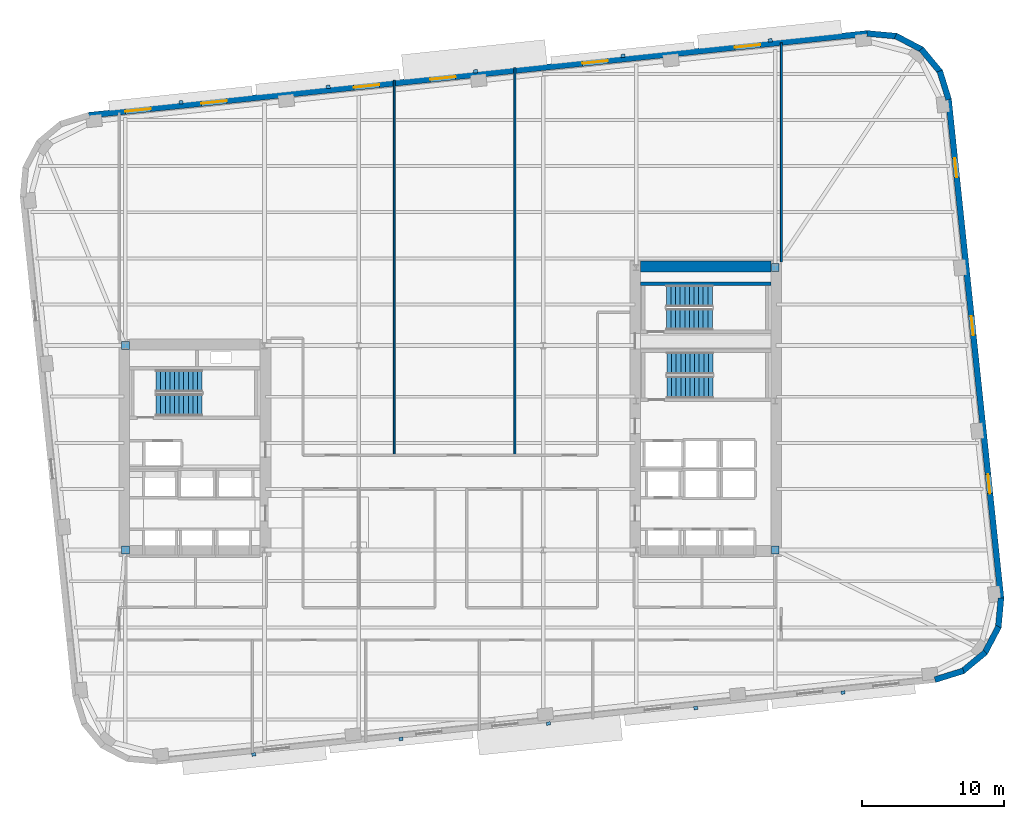
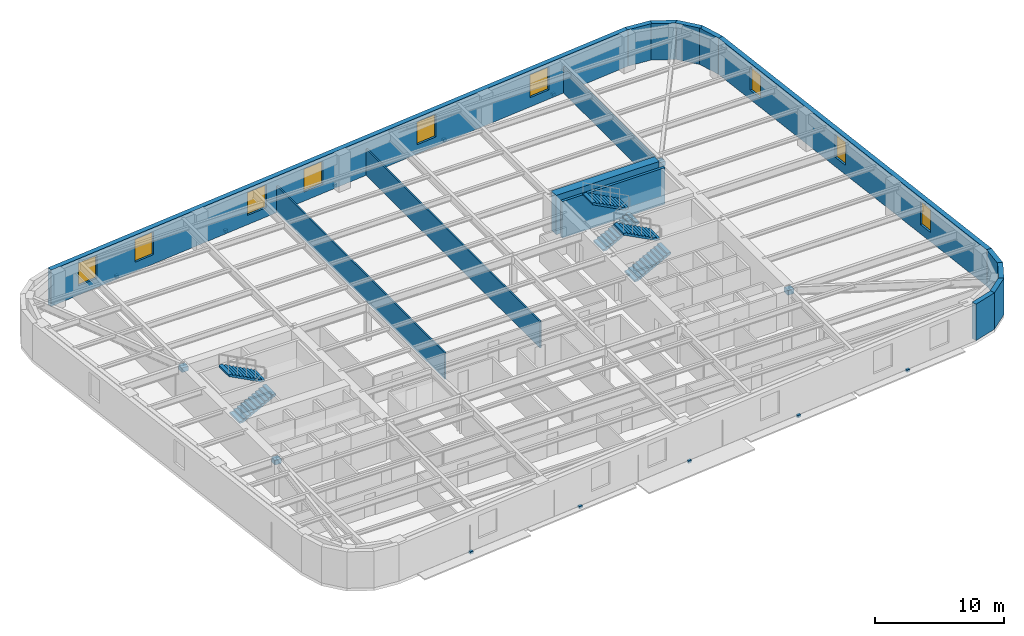
# One storey, part 7 of 11: 15 walls, 14 discrete accessories, 9 windows, 6 stair flights, 9 openings, 3 elements without a shape of their own.
"""IFC4 building model written with IfcOpenShell, lengths in metres."""

from ifc_helpers import new_model, si_unit, direction, frame, frame_2d, origin, origin_2d, place, context, subcontext, project, spatial, polyline, rectangle, outline, extrude, material, layer, layer_set, type_object, element, fill, aggregate, save


model = new_model("IFC4")

# Units and contexts
model_context = context("Model", 3, precision=1e-05, world=origin(), true_north=direction((0.0, 1.0)))
body_context = subcontext(model_context, "Body", "Model", "MODEL_VIEW")
ifc_project = project(units=[si_unit("LENGTHUNIT", "METRE"), si_unit("AREAUNIT", "SQUARE_METRE"), si_unit("VOLUMEUNIT", "CUBIC_METRE"), si_unit("PLANEANGLEUNIT", "RADIAN"), si_unit("MASSUNIT", "GRAM", prefix="KILO")], contexts=[model_context])

# Site, building, storey
site_placement = place(None, origin())
site = spatial("IfcSite", under=ifc_project, at=site_placement, CompositionType="ELEMENT")
building_placement = place(site_placement, origin())
building = spatial("IfcBuilding", under=site, at=building_placement, Name="Kolvaren Arena Tower", CompositionType="ELEMENT")
storey_placement = place(building_placement, frame((0.0, 0.0, 122.199951171875)))
storey = spatial("IfcBuildingStorey", under=building, at=storey_placement, Name="L28", CompositionType="ELEMENT", Elevation=122.199951171875)

# Walls
ifc_material_1 = material(Name="Concrete 70 MPa", Category="concrete")
ifc_layer_1 = layer(ifc_material_1, 0.75)
ifc_layer_set_1 = layer_set([ifc_layer_1], Name="Concrete 70 MPa")
wall_type_1 = type_object("IfcWallType", Name="CWALL-750", PredefinedType="SHEAR", material=ifc_layer_set_1)
wall_1_placement = place(storey_placement, frame((50.85009765625, 39.425048828125, -0.27001953125), z_axis=(0.0, 0.0, 1.0), x_axis=(1.0, 0.0, 0.0)))
element("IfcWall", 1, at=wall_1_placement, inside=storey, type_object=wall_type_1, Name="Core Shear Wall EC-NORTH (L28)", PredefinedType="SHEAR", context=body_context, shape_type="SweptSolid", body=[
    extrude(rectangle(XDim=9.199951171875, YDim=0.75, at=frame_2d((4.60009765625, 0.0))), origin(), (0.0, 0.0, 1.0), 3.7099609375),
])
ifc_material_2 = material(Name="Precast concrete C50/60", Category="concrete")
ifc_layer_2 = layer(ifc_material_2, 0.419921875)
ifc_layer_set_2 = layer_set([ifc_layer_2], Name="Precast concrete C50/60")
wall_type_2 = type_object("IfcWallType", Name="EXT-PIER1", PredefinedType="SOLIDWALL", material=ifc_layer_set_2)
for number, where, z_axis, x_axis, name in (
    (2, (73.61328125, 10.93701171875, 0.0), (0.0, 0.0, 1.0), (-0.954993985335, -0.296625164093, 0.0), "Exterior Precast Masonry-Frame Wall (L28)"),
    (3, (75.1611328125, 12.2451171875, 0.0), (0.0, 0.0, 1.0), (-0.768800317178, -0.639488914921, 0.0), "Exterior Precast Masonry-Frame Wall (L28)"),
):
    element("IfcWall", number, at=place(storey_placement, frame(where, z_axis=z_axis, x_axis=x_axis)), inside=storey, type_object=wall_type_2, Name=name, PredefinedType="SOLIDWALL", context=body_context, shape_type="SweptSolid", body=[
        extrude(rectangle(XDim=2.10693359375, YDim=0.419921875, at=frame_2d((1.053466796875, 0.0))), origin(), (0.0, 0.0, 1.0), 3.43994140625),
    ])
wall_2_placement = place(storey_placement, frame((76.0908203125, 14.046142578125, 0.0), z_axis=(0.0, 0.0, 1.0), x_axis=(-0.465655699908, -0.884965970613, 0.0)))
element("IfcWall", 4, at=wall_2_placement, inside=storey, type_object=wall_type_2, Name="Exterior Precast Masonry-Frame Wall (L28)", PredefinedType="SOLIDWALL", context=body_context, shape_type="SweptSolid", body=[
    extrude(rectangle(XDim=2.107177734375, YDim=0.419921875, at=frame_2d((1.0537109375, 0.0))), origin(), (0.0, 0.0, 1.0), 3.43994140625),
])
wall_3_placement = place(storey_placement, frame((76.26025390625, 16.065673828125, 0.0), z_axis=(0.0, 0.0, 1.0), x_axis=(-0.091538655308, -0.995801523691, 0.0)))
element("IfcWall", 5, at=wall_3_placement, inside=storey, type_object=wall_type_2, Name="Exterior Precast Masonry-Frame Wall (L28)", PredefinedType="SOLIDWALL", context=body_context, shape_type="SweptSolid", body=[
    extrude(rectangle(XDim=2.10693359375, YDim=0.419921875, at=frame_2d((1.053466796875, 0.0))), origin(), (0.0, 0.0, 1.0), 3.43994140625),
])

# Wall, openings, windows
wall_4_placement = place(storey_placement, frame((72.560302734375, 51.23046875, 0.0), z_axis=(0.0, 0.0, 1.0), x_axis=(0.1045253859, -0.994522218808, 0.0)))
wall_4 = element("IfcWall", 6, at=wall_4_placement, inside=storey, type_object=wall_type_2, Name="Exterior Precast Masonry-Frame Wall (L28)", PredefinedType="SOLIDWALL", context=body_context, shape_type="SweptSolid", body=[
    extrude(rectangle(XDim=35.39990234375, YDim=0.419921875, at=frame_2d((17.699951171875, 0.0))), origin(), (0.0, 0.0, 1.0), 3.43994140625),
])
opening_1_placement = place(wall_4_placement, frame((4.199951171875, 0.0, 0.8798828125)))
opening_1 = element("IfcOpeningElement", 7, at=opening_1_placement, cuts=wall_4, Name="Opening W04", PredefinedType="OPENING", context=body_context, shape_type="SweptSolid", body=[
    extrude(rectangle(XDim=1.35009765625, YDim=2.199951171875, at=frame_2d((0.675048828125, 1.10009765625))), frame((0.0, 0.219970703125, 0.0), z_axis=(0.0, -1.0, 0.0), x_axis=(1.0, 0.0, 0.0)), (0.0, 0.0, 1.0), 0.43994140625),
])
opening_2_placement = place(wall_4_placement, frame((15.39990234375, 0.0, 0.8798828125)))
opening_2 = element("IfcOpeningElement", 8, at=opening_2_placement, cuts=wall_4, Name="Opening W04", PredefinedType="OPENING", context=body_context, shape_type="SweptSolid", body=[
    extrude(rectangle(XDim=1.35009765625, YDim=2.199951171875, at=frame_2d((0.675048828125, 1.10009765625))), frame((0.0, 0.219970703125, 0.0), z_axis=(0.0, -1.0, 0.0), x_axis=(1.0, 0.0, 0.0)), (0.0, 0.0, 1.0), 0.43994140625),
])
opening_3_placement = place(wall_4_placement, frame((26.60009765625, 0.0, 0.8798828125)))
opening_3 = element("IfcOpeningElement", 9, at=opening_3_placement, cuts=wall_4, Name="Opening W04", PredefinedType="OPENING", context=body_context, shape_type="SweptSolid", body=[
    extrude(rectangle(XDim=1.35009765625, YDim=2.199951171875, at=frame_2d((0.675048828125, 1.10009765625))), frame((0.0, 0.219970703125, 0.0), z_axis=(0.0, -1.0, 0.0), x_axis=(1.0, 0.0, 0.0)), (0.0, 0.0, 1.0), 0.43994140625),
])
ifc_material_3 = material(Name="Triple-glazed curved-facet corner window", Category="glass")
window_type_1 = type_object("IfcWindowType", Name="WIN-CRN-A", PartitioningType="SINGLE_PANEL", PredefinedType="WINDOW", material=ifc_material_3)
window_1_placement = place(opening_1_placement, origin())
window_1 = element("IfcWindow", 10, at=window_1_placement, inside=storey, type_object=window_type_1, Name="End-Wall Punched Window (L28)", OverallHeight=2.199951171875, OverallWidth=1.35009765625, PartitioningType="SINGLE_PANEL", PredefinedType="WINDOW", context=body_context, shape_type="SweptSolid", body=[
    extrude(rectangle(XDim=1.35009765625, YDim=2.199951171875, at=frame_2d((0.675048828125, 1.10009765625))), frame((0.0, 0.030029296875, 0.0), z_axis=(0.0, -1.0, 0.0), x_axis=(1.0, 0.0, 0.0)), (0.0, 0.0, 1.0), 0.06005859375),
])
fill(opening_1, window_1)
window_2_placement = place(opening_2_placement, origin())
window_2 = element("IfcWindow", 11, at=window_2_placement, inside=storey, type_object=window_type_1, Name="End-Wall Punched Window (L28)", OverallHeight=2.199951171875, OverallWidth=1.35009765625, PartitioningType="SINGLE_PANEL", PredefinedType="WINDOW", context=body_context, shape_type="SweptSolid", body=[
    extrude(rectangle(XDim=1.35009765625, YDim=2.199951171875, at=frame_2d((0.675048828125, 1.10009765625))), frame((0.0, 0.030029296875, 0.0), z_axis=(0.0, -1.0, 0.0), x_axis=(1.0, 0.0, 0.0)), (0.0, 0.0, 1.0), 0.06005859375),
])
fill(opening_2, window_2)
window_3_placement = place(opening_3_placement, origin())
window_3 = element("IfcWindow", 12, at=window_3_placement, inside=storey, type_object=window_type_1, Name="End-Wall Punched Window (L28)", OverallHeight=2.199951171875, OverallWidth=1.35009765625, PartitioningType="SINGLE_PANEL", PredefinedType="WINDOW", context=body_context, shape_type="SweptSolid", body=[
    extrude(rectangle(XDim=1.35009765625, YDim=2.199951171875, at=frame_2d((0.675048828125, 1.10009765625))), frame((0.0, 0.030029296875, 0.0), z_axis=(0.0, -1.0, 0.0), x_axis=(1.0, 0.0, 0.0)), (0.0, 0.0, 1.0), 0.06005859375),
])
fill(opening_3, window_3)

# Walls
for number, where, z_axis, x_axis, name in (
    (13, (71.943603515625, 53.202392578125, 0.0), (0.0, 0.0, 1.0), (0.296625164093, -0.954993985335, 0.0), "Exterior Precast Masonry-Frame Wall (L28)"),
    (14, (70.635498046875, 54.750244140625, 0.0), (0.0, 0.0, 1.0), (0.639488914921, -0.768800317178, 0.0), "Exterior Precast Masonry-Frame Wall (L28)"),
    (15, (68.83447265625, 55.6796875, 0.0), (0.0, 0.0, 1.0), (0.885013714693, -0.465564952296, 0.0), "Exterior Precast Masonry-Frame Wall (L28)"),
    (16, (66.81494140625, 55.849365234375, 0.0), (0.0, 0.0, 1.0), (0.995801523691, -0.091538655308, 0.0), "Exterior Precast Masonry-Frame Wall (L28)"),
):
    element("IfcWall", number, at=place(storey_placement, frame(where, z_axis=z_axis, x_axis=x_axis)), inside=storey, type_object=wall_type_2, Name=name, PredefinedType="SOLIDWALL", context=body_context, shape_type="SweptSolid", body=[
        extrude(rectangle(XDim=2.10693359375, YDim=0.419921875, at=frame_2d((1.053466796875, 0.0))), origin(), (0.0, 0.0, 1.0), 3.43994140625),
    ])

# Wall, openings, windows
wall_5_placement = place(storey_placement, frame((11.95849609375, 50.07958984375, 0.0), z_axis=(0.0, 0.0, 1.0), x_axis=(0.994521823388, 0.104529148113, 0.0)))
wall_5 = element("IfcWall", 17, at=wall_5_placement, inside=storey, type_object=wall_type_2, Name="Exterior Precast Masonry-Frame Wall (L28)", PredefinedType="SOLIDWALL", context=body_context, shape_type="SweptSolid", body=[
    extrude(rectangle(XDim=55.2001953125, YDim=0.419921875, at=frame_2d((27.60009765625, 0.0))), origin(), (0.0, 0.0, 1.0), 3.43994140625),
])
opening_4_placement = place(wall_5_placement, frame((2.60009765625, 0.0, 0.8798828125)))
opening_4 = element("IfcOpeningElement", 18, at=opening_4_placement, cuts=wall_5, Name="Opening W02", PredefinedType="OPENING", context=body_context, shape_type="SweptSolid", body=[
    extrude(rectangle(XDim=1.800048828125, YDim=2.14990234375, at=frame_2d((0.89990234375, 1.074951171875))), frame((0.0, 0.219970703125, 0.0), z_axis=(0.0, -1.0, 0.0), x_axis=(1.0, 0.0, 0.0)), (0.0, 0.0, 1.0), 0.43994140625),
])
opening_5_placement = place(wall_5_placement, frame((8.0, 0.0, 0.8798828125)))
opening_5 = element("IfcOpeningElement", 19, at=opening_5_placement, cuts=wall_5, Name="Opening W02", PredefinedType="OPENING", context=body_context, shape_type="SweptSolid", body=[
    extrude(rectangle(XDim=1.800048828125, YDim=2.14990234375, at=frame_2d((0.89990234375, 1.074951171875))), frame((0.0, 0.219970703125, 0.0), z_axis=(0.0, -1.0, 0.0), x_axis=(1.0, 0.0, 0.0)), (0.0, 0.0, 1.0), 0.43994140625),
])
opening_6_placement = place(wall_5_placement, frame((18.800048828125, 0.0, 0.8798828125)))
opening_6 = element("IfcOpeningElement", 20, at=opening_6_placement, cuts=wall_5, Name="Opening W02", PredefinedType="OPENING", context=body_context, shape_type="SweptSolid", body=[
    extrude(rectangle(XDim=1.800048828125, YDim=2.14990234375, at=frame_2d((0.89990234375, 1.074951171875))), frame((0.0, 0.219970703125, 0.0), z_axis=(0.0, -1.0, 0.0), x_axis=(1.0, 0.0, 0.0)), (0.0, 0.0, 1.0), 0.43994140625),
])
opening_7_placement = place(wall_5_placement, frame((24.199951171875, 0.0, 0.8798828125)))
opening_7 = element("IfcOpeningElement", 21, at=opening_7_placement, cuts=wall_5, Name="Opening W02", PredefinedType="OPENING", context=body_context, shape_type="SweptSolid", body=[
    extrude(rectangle(XDim=1.800048828125, YDim=2.14990234375, at=frame_2d((0.89990234375, 1.074951171875))), frame((0.0, 0.219970703125, 0.0), z_axis=(0.0, -1.0, 0.0), x_axis=(1.0, 0.0, 0.0)), (0.0, 0.0, 1.0), 0.43994140625),
])
opening_8_placement = place(wall_5_placement, frame((35.0, 0.0, 0.8798828125)))
opening_8 = element("IfcOpeningElement", 22, at=opening_8_placement, cuts=wall_5, Name="Opening W02", PredefinedType="OPENING", context=body_context, shape_type="SweptSolid", body=[
    extrude(rectangle(XDim=1.800048828125, YDim=2.14990234375, at=frame_2d((0.89990234375, 1.074951171875))), frame((0.0, 0.219970703125, 0.0), z_axis=(0.0, -1.0, 0.0), x_axis=(1.0, 0.0, 0.0)), (0.0, 0.0, 1.0), 0.43994140625),
])
opening_9_placement = place(wall_5_placement, frame((45.800048828125, 0.0, 0.8798828125)))
opening_9 = element("IfcOpeningElement", 23, at=opening_9_placement, cuts=wall_5, Name="Opening W02", PredefinedType="OPENING", context=body_context, shape_type="SweptSolid", body=[
    extrude(rectangle(XDim=1.800048828125, YDim=2.14990234375, at=frame_2d((0.89990234375, 1.074951171875))), frame((0.0, 0.219970703125, 0.0), z_axis=(0.0, -1.0, 0.0), x_axis=(1.0, 0.0, 0.0)), (0.0, 0.0, 1.0), 0.43994140625),
])
ifc_material_4 = material(Name="Triple-glazed low-E aluminium window", Category="aluminium")
window_type_2 = type_object("IfcWindowType", Name="WIN-OFF-B", PartitioningType="DOUBLE_PANEL_VERTICAL", PredefinedType="WINDOW", material=ifc_material_4)
window_4_placement = place(opening_4_placement, origin())
window_4 = element("IfcWindow", 24, at=window_4_placement, inside=storey, type_object=window_type_2, Name="Punched Precast-Pier Window (L28)", OverallHeight=2.14990234375, OverallWidth=1.800048828125, PartitioningType="DOUBLE_PANEL_VERTICAL", PredefinedType="WINDOW", context=body_context, shape_type="SweptSolid", body=[
    extrude(rectangle(XDim=1.800048828125, YDim=2.14990234375, at=frame_2d((0.89990234375, 1.074951171875))), frame((0.0, 0.030029296875, 0.0), z_axis=(0.0, -1.0, 0.0), x_axis=(1.0, 0.0, 0.0)), (0.0, 0.0, 1.0), 0.06005859375),
])
fill(opening_4, window_4)
window_5_placement = place(opening_5_placement, origin())
window_5 = element("IfcWindow", 25, at=window_5_placement, inside=storey, type_object=window_type_2, Name="Punched Precast-Pier Window (L28)", OverallHeight=2.14990234375, OverallWidth=1.800048828125, PartitioningType="DOUBLE_PANEL_VERTICAL", PredefinedType="WINDOW", context=body_context, shape_type="SweptSolid", body=[
    extrude(rectangle(XDim=1.800048828125, YDim=2.14990234375, at=frame_2d((0.89990234375, 1.074951171875))), frame((0.0, 0.030029296875, 0.0), z_axis=(0.0, -1.0, 0.0), x_axis=(1.0, 0.0, 0.0)), (0.0, 0.0, 1.0), 0.06005859375),
])
fill(opening_5, window_5)
window_6_placement = place(opening_6_placement, origin())
window_6 = element("IfcWindow", 26, at=window_6_placement, inside=storey, type_object=window_type_2, Name="Punched Precast-Pier Window (L28)", OverallHeight=2.14990234375, OverallWidth=1.800048828125, PartitioningType="DOUBLE_PANEL_VERTICAL", PredefinedType="WINDOW", context=body_context, shape_type="SweptSolid", body=[
    extrude(rectangle(XDim=1.800048828125, YDim=2.14990234375, at=frame_2d((0.89990234375, 1.074951171875))), frame((0.0, 0.030029296875, 0.0), z_axis=(0.0, -1.0, 0.0), x_axis=(1.0, 0.0, 0.0)), (0.0, 0.0, 1.0), 0.06005859375),
])
fill(opening_6, window_6)
window_7_placement = place(opening_7_placement, origin())
window_7 = element("IfcWindow", 27, at=window_7_placement, inside=storey, type_object=window_type_2, Name="Punched Precast-Pier Window (L28)", OverallHeight=2.14990234375, OverallWidth=1.800048828125, PartitioningType="DOUBLE_PANEL_VERTICAL", PredefinedType="WINDOW", context=body_context, shape_type="SweptSolid", body=[
    extrude(rectangle(XDim=1.800048828125, YDim=2.14990234375, at=frame_2d((0.89990234375, 1.074951171875))), frame((0.0, 0.030029296875, 0.0), z_axis=(0.0, -1.0, 0.0), x_axis=(1.0, 0.0, 0.0)), (0.0, 0.0, 1.0), 0.06005859375),
])
fill(opening_7, window_7)
window_8_placement = place(opening_8_placement, origin())
window_8 = element("IfcWindow", 28, at=window_8_placement, inside=storey, type_object=window_type_2, Name="Punched Precast-Pier Window (L28)", OverallHeight=2.14990234375, OverallWidth=1.800048828125, PartitioningType="DOUBLE_PANEL_VERTICAL", PredefinedType="WINDOW", context=body_context, shape_type="SweptSolid", body=[
    extrude(rectangle(XDim=1.800048828125, YDim=2.14990234375, at=frame_2d((0.89990234375, 1.074951171875))), frame((0.0, 0.030029296875, 0.0), z_axis=(0.0, -1.0, 0.0), x_axis=(1.0, 0.0, 0.0)), (0.0, 0.0, 1.0), 0.06005859375),
])
fill(opening_8, window_8)
window_9_placement = place(opening_9_placement, origin())
window_9 = element("IfcWindow", 29, at=window_9_placement, inside=storey, type_object=window_type_2, Name="Punched Precast-Pier Window (L28)", OverallHeight=2.14990234375, OverallWidth=1.800048828125, PartitioningType="DOUBLE_PANEL_VERTICAL", PredefinedType="WINDOW", context=body_context, shape_type="SweptSolid", body=[
    extrude(rectangle(XDim=1.800048828125, YDim=2.14990234375, at=frame_2d((0.89990234375, 1.074951171875))), frame((0.0, 0.030029296875, 0.0), z_axis=(0.0, -1.0, 0.0), x_axis=(1.0, 0.0, 0.0)), (0.0, 0.0, 1.0), 0.06005859375),
])
fill(opening_9, window_9)

# Walls
ifc_material_5 = material(Name="Gypsum board partition assembly", Category="gypsum")
ifc_layer_3 = layer(ifc_material_5, 0.135009765625)
ifc_layer_set_3 = layer_set([ifc_layer_3], Name="Gypsum board partition assembly")
wall_type_3 = type_object("IfcWallType", Name="PART-135", PredefinedType="PARTITIONING", material=ifc_layer_set_3)
wall_6_placement = place(storey_placement, frame((33.5, 26.1201171875, 0.0), z_axis=(0.0, 0.0, 1.0), x_axis=(0.0, 1.0, 0.0)))
element("IfcWall", 30, at=wall_6_placement, inside=storey, type_object=wall_type_3, Name="Interior Partition Wall (L28)", PredefinedType="PARTITIONING", context=body_context, shape_type="SweptSolid", body=[
    extrude(rectangle(XDim=26.434814453125, YDim=0.135009765625, at=frame_2d((13.21728515625, 0.0))), origin(), (0.0, 0.0, 1.0), 2.5),
])
wall_7_placement = place(storey_placement, frame((42.0, 26.1201171875, 0.0), z_axis=(0.0, 0.0, 1.0), x_axis=(0.0, 1.0, 0.0)))
element("IfcWall", 31, at=wall_7_placement, inside=storey, type_object=wall_type_3, Name="Interior Partition Wall (L28)", PredefinedType="PARTITIONING", context=body_context, shape_type="SweptSolid", body=[
    extrude(rectangle(XDim=27.328125, YDim=0.135009765625, at=frame_2d((13.6640625, 0.0))), origin(), (0.0, 0.0, 1.0), 2.5),
])
wall_8_placement = place(storey_placement, frame((60.780029296875, 39.75, 0.0), z_axis=(0.0, 0.0, 1.0), x_axis=(0.0, 1.0, 0.0)))
element("IfcWall", 32, at=wall_8_placement, inside=storey, type_object=wall_type_3, Name="Interior Partition Wall (L28)", PredefinedType="PARTITIONING", context=body_context, shape_type="SweptSolid", body=[
    extrude(rectangle(XDim=15.430908203125, YDim=0.135009765625, at=frame_2d((7.71533203125, 0.0))), origin(), (0.0, 0.0, 1.0), 2.5),
])
ifc_material_6 = material(Name="Concrete 45 MPa", Category="concrete")
ifc_layer_4 = layer(ifc_material_6, 0.25)
ifc_layer_set_4 = layer_set([ifc_layer_4], Name="Concrete 45 MPa")
wall_type_4 = type_object("IfcWallType", Name="SHAFT-250", PredefinedType="SOLIDWALL", material=ifc_layer_set_4)
wall_9_placement = place(storey_placement, frame((50.85009765625, 38.219970703125, 0.0), z_axis=(0.0, 0.0, 1.0), x_axis=(1.0, 0.0, 0.0)))
element("IfcWall", 33, at=wall_9_placement, inside=storey, type_object=wall_type_4, Name="Core Shaft Wall (L28)", PredefinedType="SOLIDWALL", context=body_context, shape_type="SweptSolid", body=[
    extrude(rectangle(XDim=9.199951171875, YDim=0.239990234375, at=frame_2d((4.60009765625, 0.0))), origin(), (0.0, 0.0, 1.0), 3.43994140625),
])

# Stair, stair flights
stair_type_1 = type_object("IfcStairType", Name="STAIR-CORE-150", PredefinedType="HALF_TURN_STAIR", material=ifc_material_6)
stair_1_placement = place(storey_placement, origin())
stair_1 = element("IfcStair", 34, at=stair_1_placement, inside=storey, type_object=stair_type_1, Name="L28 ST-E2", PredefinedType="HALF_TURN_STAIR")
stair_flight_type_1 = type_object("IfcStairFlightType", Name="FLT-150", PredefinedType="STRAIGHT", material=ifc_material_6)
stair_flight_1_placement = place(storey_placement, frame((52.679931640625, 35.699951171875, 0.0), z_axis=(0.0, 0.0, 1.0), x_axis=(1.0, 0.0, 0.0)))
stair_flight_1 = element("IfcStairFlight", 35, at=stair_flight_1_placement, type_object=stair_flight_type_1, Name="ST-E2 flight 1", NumberOfRisers=11, NumberOfTreads=10, PredefinedType="STRAIGHT", RiserHeight=0.170454545, TreadLength=0.324, context=body_context, shape_type="SweptSolid", body=[
    extrude(outline(polyline([(0.0, 0.0), (0.0, 0.17041015625), (0.323974609375, 0.17041015625), (0.323974609375, 0.3408203125), (0.64794921875, 0.3408203125), (0.64794921875, 0.511474609375), (0.971923828125, 0.511474609375), (0.971923828125, 0.681884765625), (1.2958984375, 0.681884765625), (1.2958984375, 0.852294921875), (1.6201171875, 0.852294921875), (1.6201171875, 1.022705078125), (1.944091796875, 1.022705078125), (1.944091796875, 1.193115234375), (2.26806640625, 1.193115234375), (2.26806640625, 1.363525390625), (2.592041015625, 1.363525390625), (2.592041015625, 1.5341796875), (2.916015625, 1.5341796875), (2.916015625, 1.70458984375), (3.239990234375, 1.70458984375), (3.239990234375, 1.875), (3.239990234375, 1.53515625), (0.322021484375, 0.0), (0.0, 0.0)])), frame((0.0, 0.75, 0.0), z_axis=(0.0, -1.0, 0.0), x_axis=(1.0, 0.0, 0.0)), (0.0, 0.0, 1.0), 1.5),
])
stair_flight_2_placement = place(storey_placement, frame((55.919921875, 37.35009765625, 1.875), z_axis=(0.0, 0.0, 1.0), x_axis=(-1.0, 0.0, 0.0)))
stair_flight_2 = element("IfcStairFlight", 36, at=stair_flight_2_placement, type_object=stair_flight_type_1, Name="ST-E2 flight 2", NumberOfRisers=11, NumberOfTreads=10, PredefinedType="STRAIGHT", RiserHeight=0.170454545, TreadLength=0.324, context=body_context, shape_type="SweptSolid", body=[
    extrude(outline(polyline([(0.0, 0.0), (0.0, 0.17041015625), (0.323974609375, 0.17041015625), (0.323974609375, 0.3408203125), (0.64794921875, 0.3408203125), (0.64794921875, 0.511474609375), (0.971923828125, 0.511474609375), (0.971923828125, 0.681884765625), (1.2958984375, 0.681884765625), (1.2958984375, 0.852294921875), (1.6201171875, 0.852294921875), (1.6201171875, 1.022705078125), (1.944091796875, 1.022705078125), (1.944091796875, 1.193115234375), (2.26806640625, 1.193115234375), (2.26806640625, 1.363525390625), (2.592041015625, 1.363525390625), (2.592041015625, 1.5341796875), (2.916015625, 1.5341796875), (2.916015625, 1.70458984375), (3.239990234375, 1.70458984375), (3.239990234375, 1.875), (3.239990234375, 1.53515625), (0.322021484375, 0.0), (0.0, 0.0)])), frame((0.0, 0.75, 0.0), z_axis=(0.0, -1.0, 0.0), x_axis=(1.0, 0.0, 0.0)), (0.0, 0.0, 1.0), 1.5),
])
aggregate(stair_1, [stair_flight_1, stair_flight_2])

stair_type_2 = type_object("IfcStairType", Name="STAIR-CORE-165", PredefinedType="HALF_TURN_STAIR", material=ifc_material_6)
stair_2_placement = place(storey_placement, origin())
stair_2 = element("IfcStair", 37, at=stair_2_placement, inside=storey, type_object=stair_type_2, Name="L28 ST-W1", PredefinedType="HALF_TURN_STAIR")
stair_flight_type_2 = type_object("IfcStairFlightType", Name="FLT-165", PredefinedType="STRAIGHT", material=ifc_material_6)
stair_flight_3_placement = place(storey_placement, frame((16.719970703125, 29.669921875, 0.0), z_axis=(0.0, 0.0, 1.0), x_axis=(1.0, 0.0, 0.0)))
stair_flight_3 = element("IfcStairFlight", 38, at=stair_flight_3_placement, type_object=stair_flight_type_2, Name="ST-W1 flight 1", NumberOfRisers=11, NumberOfTreads=10, PredefinedType="STRAIGHT", RiserHeight=0.170454545, TreadLength=0.324, context=body_context, shape_type="SweptSolid", body=[
    extrude(outline(polyline([(0.0, 0.0), (0.0, 0.17041015625), (0.323974609375, 0.17041015625), (0.323974609375, 0.3408203125), (0.64794921875, 0.3408203125), (0.64794921875, 0.511474609375), (0.971923828125, 0.511474609375), (0.971923828125, 0.681884765625), (1.2958984375, 0.681884765625), (1.2958984375, 0.852294921875), (1.6201171875, 0.852294921875), (1.6201171875, 1.022705078125), (1.944091796875, 1.022705078125), (1.944091796875, 1.193115234375), (2.26806640625, 1.193115234375), (2.26806640625, 1.363525390625), (2.592041015625, 1.363525390625), (2.592041015625, 1.5341796875), (2.916015625, 1.5341796875), (2.916015625, 1.70458984375), (3.239990234375, 1.70458984375), (3.239990234375, 1.875), (3.239990234375, 1.53515625), (0.322021484375, 0.0), (0.0, 0.0)])), frame((0.0, 0.77001953125, 0.0), z_axis=(0.0, -1.0, 0.0), x_axis=(1.0, 0.0, 0.0)), (0.0, 0.0, 1.0), 1.5400390625),
])
stair_flight_4_placement = place(storey_placement, frame((19.9599609375, 31.360107421875, 1.875), z_axis=(0.0, 0.0, 1.0), x_axis=(-1.0, 0.0, 0.0)))
stair_flight_4 = element("IfcStairFlight", 39, at=stair_flight_4_placement, type_object=stair_flight_type_2, Name="ST-W1 flight 2", NumberOfRisers=11, NumberOfTreads=10, PredefinedType="STRAIGHT", RiserHeight=0.170454545, TreadLength=0.324, context=body_context, shape_type="SweptSolid", body=[
    extrude(outline(polyline([(0.0, 0.0), (0.0, 0.17041015625), (0.323974609375, 0.17041015625), (0.323974609375, 0.3408203125), (0.64794921875, 0.3408203125), (0.64794921875, 0.511474609375), (0.971923828125, 0.511474609375), (0.971923828125, 0.681884765625), (1.2958984375, 0.681884765625), (1.2958984375, 0.852294921875), (1.6201171875, 0.852294921875), (1.6201171875, 1.022705078125), (1.944091796875, 1.022705078125), (1.944091796875, 1.193115234375), (2.26806640625, 1.193115234375), (2.26806640625, 1.363525390625), (2.592041015625, 1.363525390625), (2.592041015625, 1.5341796875), (2.916015625, 1.5341796875), (2.916015625, 1.70458984375), (3.239990234375, 1.70458984375), (3.239990234375, 1.875), (3.239990234375, 1.53515625), (0.322021484375, 0.0), (0.0, 0.0)])), frame((0.0, 0.77001953125, 0.0), z_axis=(0.0, -1.0, 0.0), x_axis=(1.0, 0.0, 0.0)), (0.0, 0.0, 1.0), 1.5400390625),
])
aggregate(stair_2, [stair_flight_3, stair_flight_4])

stair_3_placement = place(storey_placement, origin())
stair_3 = element("IfcStair", 40, at=stair_3_placement, inside=storey, type_object=stair_type_2, Name="L28 ST-E1", PredefinedType="HALF_TURN_STAIR")
stair_flight_5_placement = place(storey_placement, frame((52.719970703125, 30.919921875, 0.0), z_axis=(0.0, 0.0, 1.0), x_axis=(1.0, 0.0, 0.0)))
stair_flight_5 = element("IfcStairFlight", 41, at=stair_flight_5_placement, type_object=stair_flight_type_2, Name="ST-E1 flight 1", NumberOfRisers=11, NumberOfTreads=10, PredefinedType="STRAIGHT", RiserHeight=0.170454545, TreadLength=0.324, context=body_context, shape_type="SweptSolid", body=[
    extrude(outline(polyline([(0.0, 0.0), (0.0, 0.17041015625), (0.323974609375, 0.17041015625), (0.323974609375, 0.3408203125), (0.64794921875, 0.3408203125), (0.64794921875, 0.511474609375), (0.971923828125, 0.511474609375), (0.971923828125, 0.681884765625), (1.2958984375, 0.681884765625), (1.2958984375, 0.852294921875), (1.6201171875, 0.852294921875), (1.6201171875, 1.022705078125), (1.944091796875, 1.022705078125), (1.944091796875, 1.193115234375), (2.26806640625, 1.193115234375), (2.26806640625, 1.363525390625), (2.592041015625, 1.363525390625), (2.592041015625, 1.5341796875), (2.916015625, 1.5341796875), (2.916015625, 1.70458984375), (3.239990234375, 1.70458984375), (3.239990234375, 1.875), (3.239990234375, 1.53515625), (0.322021484375, 0.0), (0.0, 0.0)])), frame((0.0, 0.77001953125, 0.0), z_axis=(0.0, -1.0, 0.0), x_axis=(1.0, 0.0, 0.0)), (0.0, 0.0, 1.0), 1.5400390625),
])
stair_flight_6_placement = place(storey_placement, frame((55.9599609375, 32.610107421875, 1.875), z_axis=(0.0, 0.0, 1.0), x_axis=(-1.0, 0.0, 0.0)))
stair_flight_6 = element("IfcStairFlight", 42, at=stair_flight_6_placement, type_object=stair_flight_type_2, Name="ST-E1 flight 2", NumberOfRisers=11, NumberOfTreads=10, PredefinedType="STRAIGHT", RiserHeight=0.170454545, TreadLength=0.324, context=body_context, shape_type="SweptSolid", body=[
    extrude(outline(polyline([(0.0, 0.0), (0.0, 0.17041015625), (0.323974609375, 0.17041015625), (0.323974609375, 0.3408203125), (0.64794921875, 0.3408203125), (0.64794921875, 0.511474609375), (0.971923828125, 0.511474609375), (0.971923828125, 0.681884765625), (1.2958984375, 0.681884765625), (1.2958984375, 0.852294921875), (1.6201171875, 0.852294921875), (1.6201171875, 1.022705078125), (1.944091796875, 1.022705078125), (1.944091796875, 1.193115234375), (2.26806640625, 1.193115234375), (2.26806640625, 1.363525390625), (2.592041015625, 1.363525390625), (2.592041015625, 1.5341796875), (2.916015625, 1.5341796875), (2.916015625, 1.70458984375), (3.239990234375, 1.70458984375), (3.239990234375, 1.875), (3.239990234375, 1.53515625), (0.322021484375, 0.0), (0.0, 0.0)])), frame((0.0, 0.77001953125, 0.0), z_axis=(0.0, -1.0, 0.0), x_axis=(1.0, 0.0, 0.0)), (0.0, 0.0, 1.0), 1.5400390625),
])
aggregate(stair_3, [stair_flight_5, stair_flight_6])

# Discrete accessories
ifc_material_7 = material(Name="Stainless steel facade support bracket", Category="steel")
discrete_accessory_type_1 = type_object("IfcDiscreteAccessoryType", Name="ACC-BRKT-1", PredefinedType="BRACKET", material=ifc_material_7)
for number, where, z_axis, x_axis, name in (
    (43, (18.468505859375, 50.9951171875, -0.18017578125), (0.0, 0.0, 1.0), (0.994522077803, 0.104526727499, 0.0), "Sunshade Support Bracket (L28)"),
    (44, (28.851318359375, 52.08642578125, -0.18017578125), (0.0, 0.0, 1.0), (0.994522077803, 0.104526727499, 0.0), "Sunshade Support Bracket (L28)"),
    (45, (39.234130859375, 53.177734375, -0.18017578125), (0.0, 0.0, 1.0), (0.994522077803, 0.104526727499, 0.0), "Sunshade Support Bracket (L28)"),
    (46, (49.616943359375, 54.268798828125, -0.18017578125), (0.0, 0.0, 1.0), (0.994522077803, 0.104526727499, 0.0), "Sunshade Support Bracket (L28)"),
    (47, (59.999755859375, 55.360107421875, -0.18017578125), (0.0, 0.0, 1.0), (0.994522077803, 0.104526727499, 0.0), "Sunshade Support Bracket (L28)"),
    (48, (65.131591796875, 9.40478515625, -0.18017578125), (0.0, 0.0, 1.0), (-0.994522077803, -0.104526727499, 0.0), "Sunshade Support Bracket (L28)"),
    (49, (54.748779296875, 8.313720703125, -0.18017578125), (0.0, 0.0, 1.0), (-0.994522077803, -0.104526727499, 0.0), "Sunshade Support Bracket (L28)"),
    (50, (44.365966796875, 7.222412109375, -0.18017578125), (0.0, 0.0, 1.0), (-0.994522077803, -0.104526727499, 0.0), "Sunshade Support Bracket (L28)"),
    (51, (33.983154296875, 6.131103515625, -0.18017578125), (0.0, 0.0, 1.0), (-0.994522077803, -0.104526727499, 0.0), "Sunshade Support Bracket (L28)"),
    (52, (23.600341796875, 5.039794921875, -0.18017578125), (0.0, 0.0, 1.0), (-0.994522077803, -0.104526727499, 0.0), "Sunshade Support Bracket (L28)"),
):
    element("IfcDiscreteAccessory", number, at=place(storey_placement, frame(where, z_axis=z_axis, x_axis=x_axis)), inside=storey, type_object=discrete_accessory_type_1, Name=name, PredefinedType="BRACKET", context=body_context, shape_type="SweptSolid", body=[
        extrude(rectangle(XDim=0.280029296875, YDim=0.239990234375, at=origin_2d()), origin(), (0.0, 0.0, 1.0), 0.239990234375),
    ])
ifc_material_8 = material(Name="Steel CSA G40.21 350W bolted gusset connection", Category="steel")
discrete_accessory_type_2 = type_object("IfcDiscreteAccessoryType", Name="ACC-CONN-1", PredefinedType="BRACKET", material=ifc_material_8)
for number, where, z_axis, x_axis, name in (
    (53, (60.35009765625, 19.449951171875, 2.83349609375), (0.0, 0.0, 1.0), (1.0, 0.0, 0.0), "Core Wall Cast-In Embed Plate EP1 (L28)"),
    (54, (60.35009765625, 39.35009765625, 2.83349609375), (0.0, 0.0, 1.0), (1.0, 0.0, 0.0), "Core Wall Cast-In Embed Plate EP1 (L28)"),
    (55, (14.550048828125, 33.85009765625, 2.83349609375), (0.0, 0.0, 1.0), (1.0, 0.0, 0.0), "Core Wall Cast-In Embed Plate EP1 (L28)"),
    (56, (14.550048828125, 19.449951171875, 2.83349609375), (0.0, 0.0, 1.0), (1.0, 0.0, 0.0), "Core Wall Cast-In Embed Plate EP1 (L28)"),
):
    element("IfcDiscreteAccessory", number, at=place(storey_placement, frame(where, z_axis=z_axis, x_axis=x_axis)), inside=storey, type_object=discrete_accessory_type_2, Name=name, PredefinedType="BRACKET", context=body_context, shape_type="SweptSolid", body=[
        extrude(rectangle(XDim=0.56005859375, YDim=0.56005859375, at=origin_2d()), origin(), (0.0, 0.0, 1.0), 0.43994140625),
    ])

save(model, "model.ifc")
